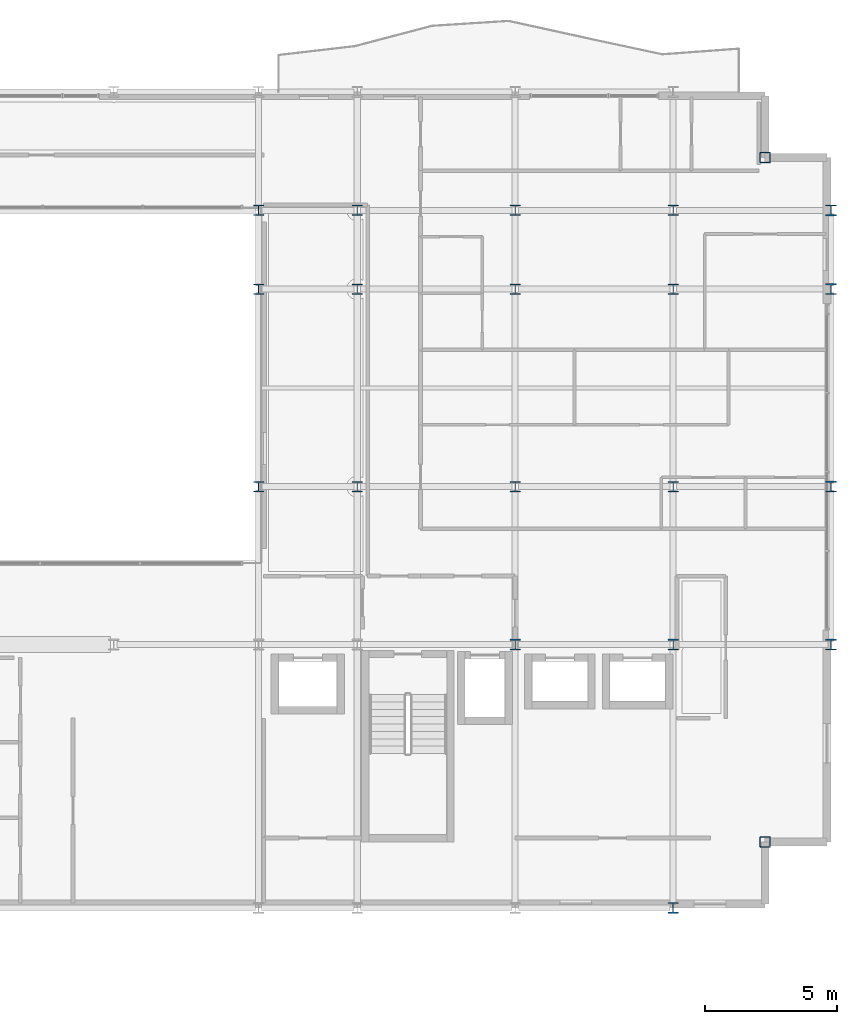
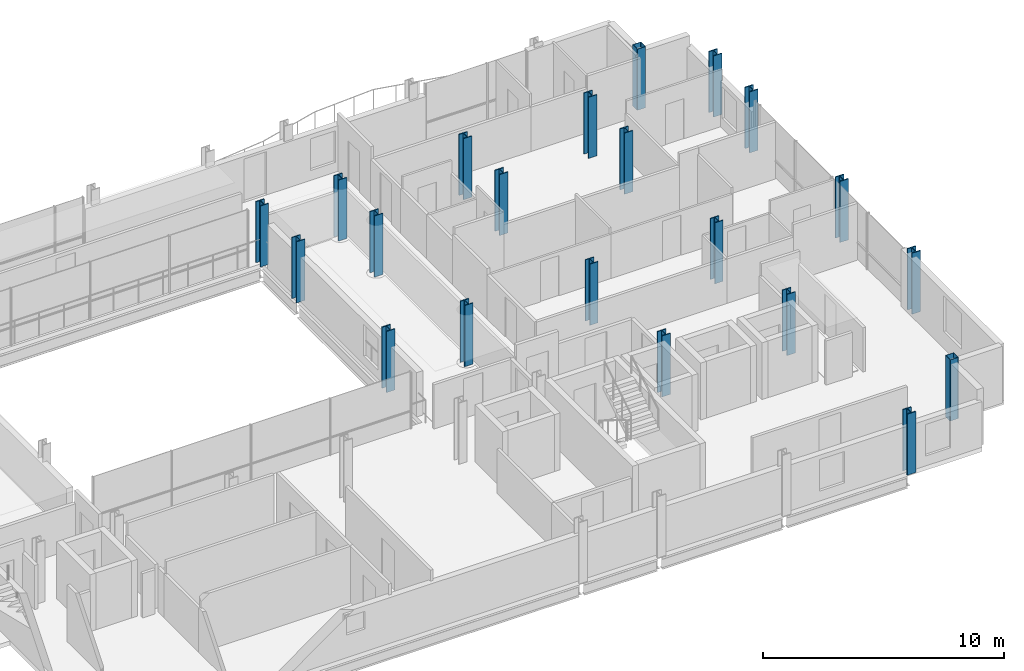
# One storey, part 2 of 41: 21 columns.
"""IFC4 building model written with IfcOpenShell, lengths in metres."""

from ifc_helpers import new_model, si_unit, direction, frame, origin, origin_2d, place, context, subcontext, project, spatial, hollow_rectangle, i_section, extrude, material, material_profile, profile_set, type_object, element, save


model = new_model("IFC4")

# Units and contexts
model_context = context("Model", 3, precision=1e-05, world=origin(), true_north=direction((0.0, 1.0)))
body_context = subcontext(model_context, "Body", "Model", "MODEL_VIEW")
ifc_project = project(units=[si_unit("LENGTHUNIT", "METRE"), si_unit("AREAUNIT", "SQUARE_METRE"), si_unit("VOLUMEUNIT", "CUBIC_METRE"), si_unit("PLANEANGLEUNIT", "RADIAN"), si_unit("MASSUNIT", "GRAM", prefix="KILO")], contexts=[model_context])

# Site, building, storey
site_placement = place(None, origin())
site = spatial("IfcSite", under=ifc_project, at=site_placement, CompositionType="ELEMENT")
building_placement = place(site_placement, origin())
building = spatial("IfcBuilding", under=site, at=building_placement, Name="Brevholm Reach", CompositionType="ELEMENT")
storey_placement = place(building_placement, frame((0.0, 0.0, 138.699951171875)))
storey = spatial("IfcBuildingStorey", under=building, at=storey_placement, Name="L41", CompositionType="ELEMENT", Elevation=138.699951171875)

# Columns
ifc_material_1 = material(Name="Structural Steel S460NH", Category="steel")
ifc_material_profile_1 = material_profile(ifc_material_1, hollow_rectangle(XDim=0.39990234375, YDim=0.39990234375, WallThickness=0.02001953125, InnerFilletRadius=0.011962890625, OuterFilletRadius=0.02392578125, at=origin_2d()), Name="SHS 400x400x20")
ifc_profile_set_1 = profile_set([ifc_material_profile_1], Name="Structural Steel S460NH")
column_type_1 = type_object("IfcColumnType", Name="COL-SHS2", PredefinedType="COLUMN", material=ifc_profile_set_1)
for number, where, z_axis, x_axis, name in (
    (1, (57.5, 2.5, 0.0), (0.0, 0.0, 1.0), (1.0, 0.0, 0.0), "L41 Column 59"),
    (2, (57.5, 28.5, 0.0), (0.0, 0.0, 1.0), (1.0, 0.0, 0.0), "L41 Column 60"),
):
    element("IfcColumn", number, at=place(storey_placement, frame(where, z_axis=z_axis, x_axis=x_axis)), inside=storey, type_object=column_type_1, Name=name, PredefinedType="COLUMN", context=body_context, shape_type="SweptSolid", body=[
        extrude(hollow_rectangle(XDim=0.39990234375, YDim=0.39990234375, WallThickness=0.02001953125, InnerFilletRadius=0.011962890625, OuterFilletRadius=0.02392578125, at=origin_2d()), origin(), (0.0, 0.0, 1.0), 3.10009765625),
    ])
ifc_material_2 = material(Name="Structural Steel S355J2", Category="steel")
ifc_material_profile_2 = material_profile(ifc_material_2, i_section(OverallWidth=0.406982421875, OverallDepth=0.4189453125, WebThickness=0.030517578125, FlangeThickness=0.04931640625, FilletRadius=0.01513671875, at=origin_2d()), Name="UKC 356x406x393")
ifc_profile_set_2 = profile_set([ifc_material_profile_2], Name="Structural Steel S355J2")
column_type_2 = type_object("IfcColumnType", Name="COL-UC4", PredefinedType="COLUMN", material=ifc_profile_set_2)
for number, where, z_axis, x_axis, name in (
    (3, (54.0, 0.0, 0.0), (0.0, 0.0, 1.0), (1.0, 0.0, 0.0), "L41 Column 53"),
    (4, (60.0, 10.0, 0.0), (0.0, 0.0, 1.0), (1.0, 0.0, 0.0), "L41 Column 61"),
    (5, (60.0, 16.0, 0.0), (0.0, 0.0, 1.0), (1.0, 0.0, 0.0), "L41 Column 62"),
    (6, (60.0, 23.5, 0.0), (0.0, 0.0, 1.0), (1.0, 0.0, 0.0), "L41 Column 63"),
    (7, (60.0, 26.5, 0.0), (0.0, 0.0, 1.0), (1.0, 0.0, 0.0), "L41 Column 64"),
):
    element("IfcColumn", number, at=place(storey_placement, frame(where, z_axis=z_axis, x_axis=x_axis)), inside=storey, type_object=column_type_2, Name=name, PredefinedType="COLUMN", context=body_context, shape_type="SweptSolid", body=[
        extrude(i_section(OverallWidth=0.406982421875, OverallDepth=0.4189453125, WebThickness=0.030517578125, FlangeThickness=0.04931640625, FilletRadius=0.01513671875, at=origin_2d()), origin(), (0.0, 0.0, 1.0), 3.10009765625),
    ])
ifc_material_3 = material(Name="Structural Steel S355J2", Category="steel")
ifc_material_profile_3 = material_profile(ifc_material_3, i_section(OverallWidth=0.403076171875, OverallDepth=0.406494140625, WebThickness=0.026611328125, FlangeThickness=0.04296875, FilletRadius=0.01513671875, at=origin_2d()), Name="UKC 356x406x340")
ifc_profile_set_3 = profile_set([ifc_material_profile_3], Name="Structural Steel S355J2")
column_type_3 = type_object("IfcColumnType", Name="COL-UC5", PredefinedType="COLUMN", material=ifc_profile_set_3)
for number, where, z_axis, x_axis, name in (
    (8, (38.25, 16.0, 0.0), (0.0, 0.0, 1.0), (1.0, 0.0, 0.0), "L41 Column 37"),
    (9, (38.25, 23.5, 0.0), (0.0, 0.0, 1.0), (1.0, 0.0, 0.0), "L41 Column 38"),
    (10, (38.25, 26.5, 0.0), (0.0, 0.0, 1.0), (1.0, 0.0, 0.0), "L41 Column 39"),
    (11, (42.0, 16.0, 0.0), (0.0, 0.0, 1.0), (1.0, 0.0, 0.0), "L41 Column 43"),
    (12, (42.0, 23.5, 0.0), (0.0, 0.0, 1.0), (1.0, 0.0, 0.0), "L41 Column 44"),
    (13, (42.0, 26.5, 0.0), (0.0, 0.0, 1.0), (1.0, 0.0, 0.0), "L41 Column 45"),
    (14, (48.0, 10.0, 0.0), (0.0, 0.0, 1.0), (1.0, 0.0, 0.0), "L41 Column 48"),
    (15, (48.0, 16.0, 0.0), (0.0, 0.0, 1.0), (1.0, 0.0, 0.0), "L41 Column 49"),
    (16, (48.0, 23.5, 0.0), (0.0, 0.0, 1.0), (1.0, 0.0, 0.0), "L41 Column 50"),
    (17, (48.0, 26.5, 0.0), (0.0, 0.0, 1.0), (1.0, 0.0, 0.0), "L41 Column 51"),
    (18, (54.0, 10.0, 0.0), (0.0, 0.0, 1.0), (1.0, 0.0, 0.0), "L41 Column 54"),
    (19, (54.0, 16.0, 0.0), (0.0, 0.0, 1.0), (1.0, 0.0, 0.0), "L41 Column 55"),
    (20, (54.0, 23.5, 0.0), (0.0, 0.0, 1.0), (1.0, 0.0, 0.0), "L41 Column 56"),
    (21, (54.0, 26.5, 0.0), (0.0, 0.0, 1.0), (1.0, 0.0, 0.0), "L41 Column 57"),
):
    element("IfcColumn", number, at=place(storey_placement, frame(where, z_axis=z_axis, x_axis=x_axis)), inside=storey, type_object=column_type_3, Name=name, PredefinedType="COLUMN", context=body_context, shape_type="SweptSolid", body=[
        extrude(i_section(OverallWidth=0.403076171875, OverallDepth=0.406494140625, WebThickness=0.026611328125, FlangeThickness=0.04296875, FilletRadius=0.01513671875, at=origin_2d()), origin(), (0.0, 0.0, 1.0), 3.10009765625),
    ])

save(model, "model.ifc")
